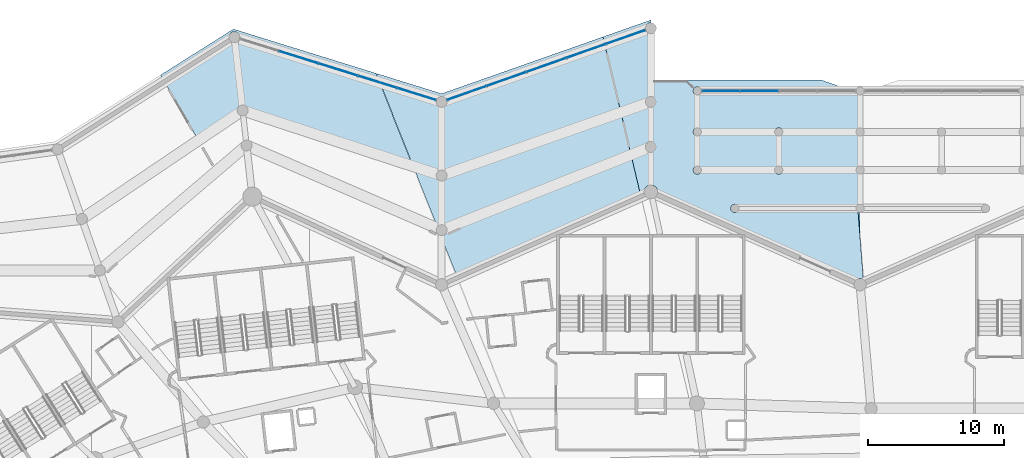
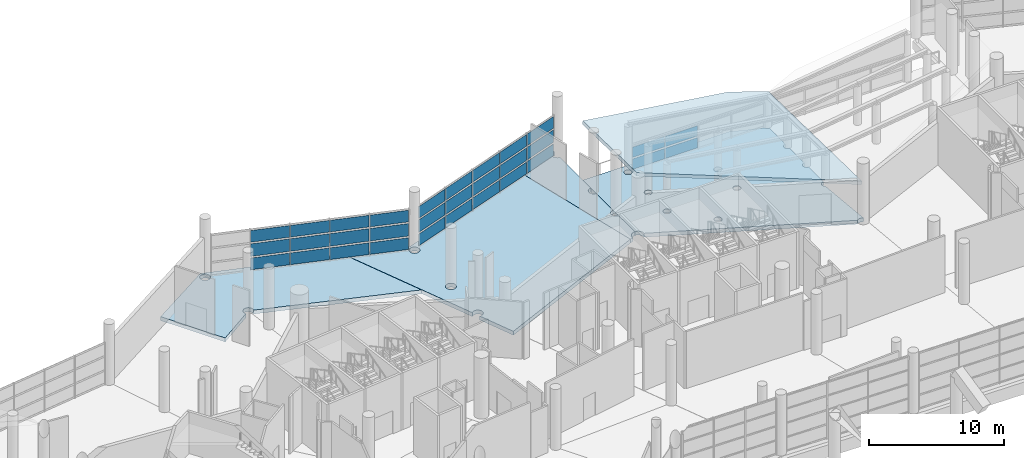
# One storey, part 146 of 271: 31 plates, 5 slabs, 3 elements without a shape of their own.
"""IFC4 building model written with IfcOpenShell, lengths in metres."""

from ifc_helpers import new_model, si_unit, direction, frame, origin, origin_2d, place, context, subcontext, project, spatial, polyline, rectangle, outline, extrude, material, layer, layer_set, type_object, element, aggregate, save


model = new_model("IFC4")

# Units and contexts
model_context = context("Model", 3, precision=1e-05, world=origin(), true_north=direction((0.0, 1.0)))
body_context = subcontext(model_context, "Body", "Model", "MODEL_VIEW")
ifc_project = project(units=[si_unit("LENGTHUNIT", "METRE"), si_unit("AREAUNIT", "SQUARE_METRE"), si_unit("VOLUMEUNIT", "CUBIC_METRE"), si_unit("PLANEANGLEUNIT", "RADIAN"), si_unit("MASSUNIT", "GRAM", prefix="KILO")], contexts=[model_context])

# Site, building, storey
site_placement = place(None, origin())
site = spatial("IfcSite", under=ifc_project, at=site_placement, CompositionType="ELEMENT")
building_placement = place(site_placement, origin())
building = spatial("IfcBuilding", under=site, at=building_placement, Name="Meseta Stadium", CompositionType="ELEMENT")
storey_placement = place(building_placement, frame((0.0, 0.0, 6.5)))
storey = spatial("IfcBuildingStorey", under=building, at=storey_placement, Name="L01", CompositionType="ELEMENT", Elevation=6.5)

# Slabs
ifc_material_1 = material(Name="Concrete C40/50", Category="concrete")
ifc_layer_1 = layer(ifc_material_1, 0.35009765625)
ifc_layer_set_1 = layer_set([ifc_layer_1], Name="Floor slab 350")
slab_type_1 = type_object("IfcSlabType", Name="Floor slab 350", PredefinedType="FLOOR", material=ifc_layer_set_1)
slab_1_placement = place(storey_placement, frame((0.0, 0.0, -0.35009765625)))
element("IfcSlab", 1, at=slab_1_placement, inside=storey, type_object=slab_type_1, Name="Gate hall floor slab 3 panel 01", PredefinedType="FLOOR", context=body_context, shape_type="SweptSolid", body=[
    extrude(outline(polyline([(-7.949951171875, 112.69970703125), (-10.506103515625, 113.60009765625), (-23.0, 113.60009765625), (-23.0, 105.904296875), (-22.869384765625, 105.88720703125), (-22.747802734375, 105.836669921875), (-22.643310546875, 105.756591796875), (-22.563232421875, 105.652099609375), (-22.512939453125, 105.530517578125), (-22.49560546875, 105.39990234375), (-22.4990234375, 105.374755859375), (-7.972412109375, 98.9326171875), (-7.8935546875, 98.9931640625), (-7.7841796875, 99.038330078125), (-7.666748046875, 99.053955078125), (-7.54931640625, 99.038330078125), (-7.439697265625, 98.9931640625), (-7.42724609375, 98.9833984375), (-7.820556640625, 103.93994140625), (-7.880615234375, 103.986083984375), (-7.9287109375, 104.048583984375), (-7.958984375, 104.12158203125), (-7.96923828125, 104.199951171875), (-7.958984375, 104.2783203125), (-7.9287109375, 104.351318359375), (-7.880615234375, 104.4140625), (-7.818115234375, 104.4619140625), (-7.7451171875, 104.4921875), (-7.666748046875, 104.502685546875), (-7.666748046875, 106.697509765625), (-7.7451171875, 106.707763671875), (-7.818115234375, 106.738037109375), (-7.880615234375, 106.785888671875), (-7.9287109375, 106.8486328125), (-7.958984375, 106.921630859375), (-7.96923828125, 107.0), (-7.958984375, 107.078369140625), (-7.9287109375, 107.1513671875), (-7.880615234375, 107.214111328125), (-7.818115234375, 107.261962890625), (-7.7451171875, 107.292236328125), (-7.666748046875, 107.302490234375), (-7.666748046875, 109.497314453125), (-7.7451171875, 109.5078125), (-7.818115234375, 109.5380859375), (-7.880615234375, 109.5859375), (-7.9287109375, 109.648681640625), (-7.958984375, 109.7216796875), (-7.96923828125, 109.800048828125), (-7.958984375, 109.87841796875), (-7.9287109375, 109.951416015625), (-7.880615234375, 110.013916015625), (-7.818115234375, 110.06201171875), (-7.7451171875, 110.09228515625), (-7.666748046875, 110.1025390625), (-7.666748046875, 112.497314453125), (-7.7451171875, 112.5078125), (-7.818115234375, 112.5380859375), (-7.880615234375, 112.5859375), (-7.9287109375, 112.648681640625), (-7.949951171875, 112.69970703125)]), holes=[polyline([(-19.44873046875, 110.06201171875), (-19.385986328125, 110.013916015625), (-19.337890625, 109.951416015625), (-19.3076171875, 109.87841796875), (-19.29736328125, 109.800048828125), (-19.3076171875, 109.7216796875), (-19.337890625, 109.648681640625), (-19.385986328125, 109.5859375), (-19.44873046875, 109.5380859375), (-19.521728515625, 109.5078125), (-19.60009765625, 109.497314453125), (-19.67822265625, 109.5078125), (-19.751220703125, 109.5380859375), (-19.81396484375, 109.5859375), (-19.862060546875, 109.648681640625), (-19.892333984375, 109.7216796875), (-19.902587890625, 109.800048828125), (-19.892333984375, 109.87841796875), (-19.862060546875, 109.951416015625), (-19.81396484375, 110.013916015625), (-19.751220703125, 110.06201171875), (-19.67822265625, 110.09228515625), (-19.60009765625, 110.1025390625), (-19.521728515625, 110.09228515625), (-19.44873046875, 110.06201171875)]), polyline([(-19.44873046875, 113.06201171875), (-19.385986328125, 113.013916015625), (-19.337890625, 112.951416015625), (-19.3076171875, 112.87841796875), (-19.29736328125, 112.800048828125), (-19.3076171875, 112.7216796875), (-19.337890625, 112.648681640625), (-19.385986328125, 112.5859375), (-19.44873046875, 112.5380859375), (-19.521728515625, 112.5078125), (-19.60009765625, 112.497314453125), (-19.67822265625, 112.5078125), (-19.751220703125, 112.5380859375), (-19.81396484375, 112.5859375), (-19.862060546875, 112.648681640625), (-19.892333984375, 112.7216796875), (-19.902587890625, 112.800048828125), (-19.892333984375, 112.87841796875), (-19.862060546875, 112.951416015625), (-19.81396484375, 113.013916015625), (-19.751220703125, 113.06201171875), (-19.67822265625, 113.09228515625), (-19.60009765625, 113.1025390625), (-19.521728515625, 113.09228515625), (-19.44873046875, 113.06201171875)]), polyline([(-13.8955078125, 107.1513671875), (-13.847412109375, 107.214111328125), (-13.78466796875, 107.261962890625), (-13.711669921875, 107.292236328125), (-13.63330078125, 107.302490234375), (-13.554931640625, 107.292236328125), (-13.48193359375, 107.261962890625), (-13.41943359375, 107.214111328125), (-13.371337890625, 107.1513671875), (-13.341064453125, 107.078369140625), (-13.330810546875, 107.0), (-13.341064453125, 106.921630859375), (-13.371337890625, 106.8486328125), (-13.41943359375, 106.785888671875), (-13.48193359375, 106.738037109375), (-13.554931640625, 106.707763671875), (-13.63330078125, 106.697509765625), (-13.711669921875, 106.707763671875), (-13.78466796875, 106.738037109375), (-13.847412109375, 106.785888671875), (-13.8955078125, 106.8486328125), (-13.925537109375, 106.921630859375), (-13.935791015625, 107.0), (-13.925537109375, 107.078369140625), (-13.8955078125, 107.1513671875)]), polyline([(-19.862060546875, 107.1513671875), (-19.81396484375, 107.214111328125), (-19.751220703125, 107.261962890625), (-19.67822265625, 107.292236328125), (-19.60009765625, 107.302490234375), (-19.521728515625, 107.292236328125), (-19.44873046875, 107.261962890625), (-19.385986328125, 107.214111328125), (-19.337890625, 107.1513671875), (-19.3076171875, 107.078369140625), (-19.29736328125, 107.0), (-19.3076171875, 106.921630859375), (-19.337890625, 106.8486328125), (-19.385986328125, 106.785888671875), (-19.44873046875, 106.738037109375), (-19.521728515625, 106.707763671875), (-19.60009765625, 106.697509765625), (-19.67822265625, 106.707763671875), (-19.751220703125, 106.738037109375), (-19.81396484375, 106.785888671875), (-19.862060546875, 106.8486328125), (-19.892333984375, 106.921630859375), (-19.902587890625, 107.0), (-19.892333984375, 107.078369140625), (-19.862060546875, 107.1513671875)]), polyline([(-13.935791015625, 109.800048828125), (-13.925537109375, 109.87841796875), (-13.8955078125, 109.951416015625), (-13.847412109375, 110.013916015625), (-13.78466796875, 110.06201171875), (-13.711669921875, 110.09228515625), (-13.63330078125, 110.1025390625), (-13.554931640625, 110.09228515625), (-13.48193359375, 110.06201171875), (-13.41943359375, 110.013916015625), (-13.371337890625, 109.951416015625), (-13.341064453125, 109.87841796875), (-13.330810546875, 109.800048828125), (-13.341064453125, 109.7216796875), (-13.371337890625, 109.648681640625), (-13.41943359375, 109.5859375), (-13.48193359375, 109.5380859375), (-13.554931640625, 109.5078125), (-13.63330078125, 109.497314453125), (-13.711669921875, 109.5078125), (-13.78466796875, 109.5380859375), (-13.847412109375, 109.5859375), (-13.8955078125, 109.648681640625), (-13.925537109375, 109.7216796875), (-13.935791015625, 109.800048828125)]), polyline([(-17.152587890625, 104.199951171875), (-17.142333984375, 104.2783203125), (-17.1123046875, 104.351318359375), (-17.064208984375, 104.4140625), (-17.00146484375, 104.4619140625), (-16.928466796875, 104.4921875), (-16.85009765625, 104.502685546875), (-16.771728515625, 104.4921875), (-16.69873046875, 104.4619140625), (-16.63623046875, 104.4140625), (-16.588134765625, 104.351318359375), (-16.557861328125, 104.2783203125), (-16.547607421875, 104.199951171875), (-16.557861328125, 104.12158203125), (-16.588134765625, 104.048583984375), (-16.63623046875, 103.986083984375), (-16.69873046875, 103.93798828125), (-16.771728515625, 103.90771484375), (-16.85009765625, 103.8974609375), (-16.928466796875, 103.90771484375), (-17.00146484375, 103.93798828125), (-17.064208984375, 103.986083984375), (-17.1123046875, 104.048583984375), (-17.142333984375, 104.12158203125), (-17.152587890625, 104.199951171875)])]), origin(), (0.0, 0.0, 1.0), 0.35009765625),
])
slab_2_placement = place(storey_placement, frame((0.0, 0.0, -0.35009765625)))
element("IfcSlab", 2, at=slab_2_placement, inside=storey, type_object=slab_type_1, Name="Ring floor slab L01 3 part 1 panel 04", PredefinedType="FLOOR", context=body_context, shape_type="SweptSolid", body=[
    extrude(outline(polyline([(-53.318603515625, 111.372314453125), (-53.3046875, 111.476806640625), (-53.264404296875, 111.57421875), (-53.2001953125, 111.65771484375), (-53.11669921875, 111.7216796875), (-53.019287109375, 111.76220703125), (-52.9150390625, 111.77587890625), (-52.810546875, 111.76220703125), (-52.71337890625, 111.7216796875), (-52.629638671875, 111.65771484375), (-52.565673828125, 111.57421875), (-52.525390625, 111.476806640625), (-52.51171875, 111.372314453125), (-52.525390625, 111.267822265625), (-52.53369140625, 111.24755859375), (-40.443603515625, 107.29052734375), (-43.142822265625, 114.093017578125), (-53.5869140625, 117.334716796875), (-58.92919921875, 113.96826171875), (-56.162109375, 109.18115234375), (-53.247314453125, 111.148193359375), (-53.264404296875, 111.170654296875), (-53.3046875, 111.267822265625), (-53.318603515625, 111.372314453125)]), holes=[polyline([(-53.1162109375, 116.73828125), (-53.1298828125, 116.634033203125), (-53.170166015625, 116.53662109375), (-53.234375, 116.453125), (-53.31787109375, 116.388916015625), (-53.415283203125, 116.3486328125), (-53.51953125, 116.3349609375), (-53.6240234375, 116.3486328125), (-53.72119140625, 116.388916015625), (-53.804931640625, 116.453125), (-53.868896484375, 116.53662109375), (-53.9091796875, 116.634033203125), (-53.923095703125, 116.73828125), (-53.9091796875, 116.8427734375), (-53.868896484375, 116.940185546875), (-53.804931640625, 117.023681640625), (-53.72119140625, 117.087890625), (-53.6240234375, 117.128173828125), (-53.51953125, 117.141845703125), (-53.415283203125, 117.128173828125), (-53.31787109375, 117.087890625), (-53.234375, 117.023681640625), (-53.170166015625, 116.940185546875), (-53.1298828125, 116.8427734375), (-53.1162109375, 116.73828125)])]), origin(), (0.0, 0.0, 1.0), 0.35009765625),
])
slab_3_placement = place(storey_placement, frame((0.0, 0.0, -0.35009765625)))
element("IfcSlab", 3, at=slab_3_placement, inside=storey, type_object=slab_type_1, Name="Ring floor slab L01 3 part 2 panel 01", PredefinedType="FLOOR", context=body_context, shape_type="SweptSolid", body=[
    extrude(outline(polyline([(-38.333251953125, 102.196533203125), (-38.404296875, 102.205810546875), (-37.232421875, 99.25244140625), (-23.767578125, 105.2236328125), (-26.514892578125, 116.76220703125), (-38.333251953125, 112.60009765625), (-43.118408203125, 114.085205078125), (-38.655029296875, 102.837890625), (-38.61865234375, 102.88525390625), (-38.53515625, 102.949462890625), (-38.437744140625, 102.98974609375), (-38.333251953125, 103.00341796875), (-38.22900390625, 102.98974609375), (-38.131591796875, 102.949462890625), (-38.048095703125, 102.88525390625), (-37.98388671875, 102.8017578125), (-37.943603515625, 102.704345703125), (-37.929931640625, 102.60009765625), (-37.943603515625, 102.49560546875), (-37.98388671875, 102.398193359375), (-38.048095703125, 102.314697265625), (-38.131591796875, 102.25048828125), (-38.22900390625, 102.210205078125), (-38.333251953125, 102.196533203125)]), holes=[polyline([(-38.722900390625, 106.49560546875), (-38.73681640625, 106.60009765625), (-38.722900390625, 106.704345703125), (-38.6826171875, 106.8017578125), (-38.61865234375, 106.88525390625), (-38.53515625, 106.949462890625), (-38.437744140625, 106.98974609375), (-38.333251953125, 107.00341796875), (-38.22900390625, 106.98974609375), (-38.131591796875, 106.949462890625), (-38.048095703125, 106.88525390625), (-37.98388671875, 106.8017578125), (-37.943603515625, 106.704345703125), (-37.929931640625, 106.60009765625), (-37.943603515625, 106.49560546875), (-37.98388671875, 106.398193359375), (-38.048095703125, 106.314697265625), (-38.131591796875, 106.25048828125), (-38.22900390625, 106.210205078125), (-38.333251953125, 106.196533203125), (-38.437744140625, 106.210205078125), (-38.53515625, 106.25048828125), (-38.61865234375, 106.314697265625), (-38.6826171875, 106.398193359375), (-38.722900390625, 106.49560546875)]), polyline([(-38.048095703125, 111.714599609375), (-38.131591796875, 111.650634765625), (-38.22900390625, 111.6103515625), (-38.333251953125, 111.596435546875), (-38.437744140625, 111.6103515625), (-38.53515625, 111.650634765625), (-38.61865234375, 111.714599609375), (-38.6826171875, 111.79833984375), (-38.722900390625, 111.8955078125), (-38.73681640625, 112.0), (-38.722900390625, 112.1044921875), (-38.6826171875, 112.20166015625), (-38.61865234375, 112.285400390625), (-38.53515625, 112.349365234375), (-38.437744140625, 112.3896484375), (-38.333251953125, 112.403564453125), (-38.22900390625, 112.3896484375), (-38.131591796875, 112.349365234375), (-38.048095703125, 112.285400390625), (-37.98388671875, 112.20166015625), (-37.943603515625, 112.1044921875), (-37.929931640625, 112.0), (-37.943603515625, 111.8955078125), (-37.98388671875, 111.79833984375), (-38.048095703125, 111.714599609375)])]), origin(), (0.0, 0.0, 1.0), 0.35009765625),
])
slab_4_placement = place(storey_placement, frame((0.0, 0.0, -0.35009765625)))
element("IfcSlab", 4, at=slab_4_placement, inside=storey, type_object=slab_type_1, Name="Ring floor slab L01 3 part 2 panel 02", PredefinedType="FLOOR", context=body_context, shape_type="SweptSolid", body=[
    extrude(outline(polyline([(-23.403564453125, 117.39990234375), (-23.3896484375, 117.50439453125), (-23.349365234375, 117.601806640625), (-23.285400390625, 117.685302734375), (-23.20166015625, 117.74951171875), (-23.1044921875, 117.789794921875), (-23.0, 117.803466796875), (-23.0, 118.0), (-26.514892578125, 116.76220703125), (-23.767578125, 105.2236328125), (-23.496826171875, 105.34375), (-23.50439453125, 105.39990234375), (-23.487060546875, 105.530517578125), (-23.436767578125, 105.652099609375), (-23.356689453125, 105.756591796875), (-23.252197265625, 105.836669921875), (-23.130615234375, 105.88720703125), (-23.0, 105.904296875), (-23.0, 108.29638671875), (-23.1044921875, 108.310302734375), (-23.20166015625, 108.3505859375), (-23.285400390625, 108.414794921875), (-23.349365234375, 108.498291015625), (-23.37158203125, 108.552001953125), (-23.3896484375, 108.595703125), (-23.403564453125, 108.699951171875), (-23.3896484375, 108.804443359375), (-23.349365234375, 108.901611328125), (-23.285400390625, 108.9853515625), (-23.20166015625, 109.04931640625), (-23.1044921875, 109.089599609375), (-23.0, 109.103515625), (-23.0, 111.596435546875), (-23.1044921875, 111.6103515625), (-23.20166015625, 111.650634765625), (-23.285400390625, 111.714599609375), (-23.349365234375, 111.79833984375), (-23.3896484375, 111.8955078125), (-23.403564453125, 112.0), (-23.3896484375, 112.1044921875), (-23.349365234375, 112.20166015625), (-23.285400390625, 112.285400390625), (-23.20166015625, 112.349365234375), (-23.1044921875, 112.3896484375), (-23.0, 112.403564453125), (-23.0, 116.99658203125), (-23.1044921875, 117.01025390625), (-23.20166015625, 117.050537109375), (-23.285400390625, 117.11474609375), (-23.349365234375, 117.1982421875), (-23.3896484375, 117.295654296875), (-23.403564453125, 117.39990234375)])), origin(), (0.0, 0.0, 1.0), 0.35009765625),
])
ifc_material_2 = material(Name="Concrete C40/50", Category="concrete")
ifc_layer_2 = layer(ifc_material_2, 0.300048828125)
ifc_layer_set_2 = layer_set([ifc_layer_2], Name="Gate roof plate 300")
slab_type_2 = type_object("IfcSlabType", Name="Gate roof plate 300", PredefinedType="ROOF", material=ifc_layer_set_2)
slab_5_placement = place(storey_placement, frame((-23.0, 113.60009765625, 5.367919921875), z_axis=(0.138626291387, 0.019802302062, 0.990146766984), x_axis=(-1.678586e-06, -0.999800068064, 0.019995596922)))
element("IfcSlab", 5, at=slab_5_placement, inside=storey, type_object=slab_type_2, Name="Gate 3 butterfly roof wing", PredefinedType="ROOF", context=body_context, shape_type="SweptSolid", body=[
    extrude(outline(polyline([(0.0, 0.0), (8.004776157907482, 0.0), (14.763233710626649, 15.482752183496082), (0.9572495142582244, 15.482738127618877), (-0.03499373974458992, 12.615677062618307), (0.0, 0.0)])), origin(), (0.0, 0.0, -1.0), 0.300048828125),
])

# Curtain wall, plates
ifc_material_3 = material(Name="Aluminium", Category="aluminium")
ifc_layer_3 = layer(ifc_material_3, 0.199951171875)
ifc_layer_set_3 = layer_set([ifc_layer_3], Name="Ring shopfront curtain wall")
curtain_wall_type_1 = type_object("IfcCurtainWallType", Name="Ring shopfront curtain wall", PredefinedType="NOTDEFINED", material=ifc_layer_set_3)
curtain_wall_1_placement = place(storey_placement, origin())
curtain_wall_1 = element("IfcCurtainWall", 6, at=curtain_wall_1_placement, inside=storey, type_object=curtain_wall_type_1, Name="Ring glazing L01 F20", PredefinedType="NOTDEFINED")
ifc_material_4 = material(Name="Glass", Category="glass")
ifc_layer_4 = layer(ifc_material_4, 0.035888671875)
ifc_layer_set_4 = layer_set([ifc_layer_4], Name="Ring CW glass panel 36")
plate_type = type_object("IfcPlateType", Name="Ring CW glass panel 36", PredefinedType="CURTAIN_PANEL", material=ifc_layer_set_4)
plate_1_placement = place(storey_placement, frame((-24.849365234375, 116.748779296875, 0.14990234375), z_axis=(0.0, 0.0, 1.0), x_axis=(-0.943218009999, -0.332174330154, 0.0)))
plate_1 = element("IfcPlate", 7, at=plate_1_placement, type_object=plate_type, Name="CWR1 panel 1.1", PredefinedType="CURTAIN_PANEL", context=body_context, shape_type="SweptSolid", body=[
    extrude(rectangle(XDim=3.001220703125, YDim=0.035888671875, at=origin_2d()), origin(), (0.0, 0.0, 1.0), 1.058349609375),
])
plate_2_placement = place(storey_placement, frame((-24.849365234375, 116.748779296875, 1.3583984375), z_axis=(0.0, 0.0, 1.0), x_axis=(-0.943218009999, -0.332174330154, 0.0)))
plate_2 = element("IfcPlate", 8, at=plate_2_placement, type_object=plate_type, Name="CWR1 panel 1.2", PredefinedType="CURTAIN_PANEL", context=body_context, shape_type="SweptSolid", body=[
    extrude(rectangle(XDim=3.001220703125, YDim=0.035888671875, at=origin_2d()), origin(), (0.0, 0.0, 1.0), 1.13330078125),
])
plate_3_placement = place(storey_placement, frame((-24.849365234375, 116.748779296875, 2.6416015625), z_axis=(0.0, 0.0, 1.0), x_axis=(-0.943218009999, -0.332174330154, 0.0)))
plate_3 = element("IfcPlate", 9, at=plate_3_placement, type_object=plate_type, Name="CWR1 panel 1.3", PredefinedType="CURTAIN_PANEL", context=body_context, shape_type="SweptSolid", body=[
    extrude(rectangle(XDim=3.001220703125, YDim=0.035888671875, at=origin_2d()), origin(), (0.0, 0.0, 1.0), 1.058349609375),
])
plate_4_placement = place(storey_placement, frame((-27.7509765625, 115.726806640625, 0.14990234375), z_axis=(0.0, 0.0, 1.0), x_axis=(-0.943218009999, -0.332174330154, 0.0)))
plate_4 = element("IfcPlate", 10, at=plate_4_placement, type_object=plate_type, Name="CWR1 panel 2.1", PredefinedType="CURTAIN_PANEL", context=body_context, shape_type="SweptSolid", body=[
    extrude(rectangle(XDim=3.03125, YDim=0.035888671875, at=origin_2d()), origin(), (0.0, 0.0, 1.0), 1.058349609375),
])
plate_5_placement = place(storey_placement, frame((-27.7509765625, 115.726806640625, 1.3583984375), z_axis=(0.0, 0.0, 1.0), x_axis=(-0.943218009999, -0.332174330154, 0.0)))
plate_5 = element("IfcPlate", 11, at=plate_5_placement, type_object=plate_type, Name="CWR1 panel 2.2", PredefinedType="CURTAIN_PANEL", context=body_context, shape_type="SweptSolid", body=[
    extrude(rectangle(XDim=3.03125, YDim=0.035888671875, at=origin_2d()), origin(), (0.0, 0.0, 1.0), 1.13330078125),
])
plate_6_placement = place(storey_placement, frame((-27.7509765625, 115.726806640625, 2.6416015625), z_axis=(0.0, 0.0, 1.0), x_axis=(-0.943218009999, -0.332174330154, 0.0)))
plate_6 = element("IfcPlate", 12, at=plate_6_placement, type_object=plate_type, Name="CWR1 panel 2.3", PredefinedType="CURTAIN_PANEL", context=body_context, shape_type="SweptSolid", body=[
    extrude(rectangle(XDim=3.03125, YDim=0.035888671875, at=origin_2d()), origin(), (0.0, 0.0, 1.0), 1.058349609375),
])
plate_7_placement = place(storey_placement, frame((-30.666748046875, 114.699951171875, 0.14990234375), z_axis=(0.0, 0.0, 1.0), x_axis=(-0.943218009999, -0.332174330154, 0.0)))
plate_7 = element("IfcPlate", 13, at=plate_7_placement, type_object=plate_type, Name="CWR1 panel 3.1", PredefinedType="CURTAIN_PANEL", context=body_context, shape_type="SweptSolid", body=[
    extrude(rectangle(XDim=3.03125, YDim=0.035888671875, at=origin_2d()), origin(), (0.0, 0.0, 1.0), 1.058349609375),
])
plate_8_placement = place(storey_placement, frame((-30.666748046875, 114.699951171875, 1.3583984375), z_axis=(0.0, 0.0, 1.0), x_axis=(-0.943218009999, -0.332174330154, 0.0)))
plate_8 = element("IfcPlate", 14, at=plate_8_placement, type_object=plate_type, Name="CWR1 panel 3.2", PredefinedType="CURTAIN_PANEL", context=body_context, shape_type="SweptSolid", body=[
    extrude(rectangle(XDim=3.03125, YDim=0.035888671875, at=origin_2d()), origin(), (0.0, 0.0, 1.0), 1.13330078125),
])
plate_9_placement = place(storey_placement, frame((-30.666748046875, 114.699951171875, 2.6416015625), z_axis=(0.0, 0.0, 1.0), x_axis=(-0.943218009999, -0.332174330154, 0.0)))
plate_9 = element("IfcPlate", 15, at=plate_9_placement, type_object=plate_type, Name="CWR1 panel 3.3", PredefinedType="CURTAIN_PANEL", context=body_context, shape_type="SweptSolid", body=[
    extrude(rectangle(XDim=3.03125, YDim=0.035888671875, at=origin_2d()), origin(), (0.0, 0.0, 1.0), 1.058349609375),
])
plate_10_placement = place(storey_placement, frame((-33.582275390625, 113.673095703125, 0.14990234375), z_axis=(0.0, 0.0, 1.0), x_axis=(-0.943218009999, -0.332174330154, 0.0)))
plate_10 = element("IfcPlate", 16, at=plate_10_placement, type_object=plate_type, Name="CWR1 panel 4.1", PredefinedType="CURTAIN_PANEL", context=body_context, shape_type="SweptSolid", body=[
    extrude(rectangle(XDim=3.03125, YDim=0.035888671875, at=origin_2d()), origin(), (0.0, 0.0, 1.0), 1.058349609375),
])
plate_11_placement = place(storey_placement, frame((-33.582275390625, 113.673095703125, 1.3583984375), z_axis=(0.0, 0.0, 1.0), x_axis=(-0.943218009999, -0.332174330154, 0.0)))
plate_11 = element("IfcPlate", 17, at=plate_11_placement, type_object=plate_type, Name="CWR1 panel 4.2", PredefinedType="CURTAIN_PANEL", context=body_context, shape_type="SweptSolid", body=[
    extrude(rectangle(XDim=3.03125, YDim=0.035888671875, at=origin_2d()), origin(), (0.0, 0.0, 1.0), 1.13330078125),
])
plate_12_placement = place(storey_placement, frame((-33.582275390625, 113.673095703125, 2.6416015625), z_axis=(0.0, 0.0, 1.0), x_axis=(-0.943218009999, -0.332174330154, 0.0)))
plate_12 = element("IfcPlate", 18, at=plate_12_placement, type_object=plate_type, Name="CWR1 panel 4.3", PredefinedType="CURTAIN_PANEL", context=body_context, shape_type="SweptSolid", body=[
    extrude(rectangle(XDim=3.03125, YDim=0.035888671875, at=origin_2d()), origin(), (0.0, 0.0, 1.0), 1.058349609375),
])
plate_13_placement = place(storey_placement, frame((-36.48388671875, 112.6513671875, 0.14990234375), z_axis=(0.0, 0.0, 1.0), x_axis=(-0.943218009999, -0.332174330154, 0.0)))
plate_13 = element("IfcPlate", 19, at=plate_13_placement, type_object=plate_type, Name="CWR1 panel 5.1", PredefinedType="CURTAIN_PANEL", context=body_context, shape_type="SweptSolid", body=[
    extrude(rectangle(XDim=3.001220703125, YDim=0.035888671875, at=origin_2d()), origin(), (0.0, 0.0, 1.0), 1.058349609375),
])
plate_14_placement = place(storey_placement, frame((-36.48388671875, 112.6513671875, 1.3583984375), z_axis=(0.0, 0.0, 1.0), x_axis=(-0.943218009999, -0.332174330154, 0.0)))
plate_14 = element("IfcPlate", 20, at=plate_14_placement, type_object=plate_type, Name="CWR1 panel 5.2", PredefinedType="CURTAIN_PANEL", context=body_context, shape_type="SweptSolid", body=[
    extrude(rectangle(XDim=3.001220703125, YDim=0.035888671875, at=origin_2d()), origin(), (0.0, 0.0, 1.0), 1.13330078125),
])
plate_15_placement = place(storey_placement, frame((-36.48388671875, 112.6513671875, 2.6416015625), z_axis=(0.0, 0.0, 1.0), x_axis=(-0.943218009999, -0.332174330154, 0.0)))
plate_15 = element("IfcPlate", 21, at=plate_15_placement, type_object=plate_type, Name="CWR1 panel 5.3", PredefinedType="CURTAIN_PANEL", context=body_context, shape_type="SweptSolid", body=[
    extrude(rectangle(XDim=3.001220703125, YDim=0.035888671875, at=origin_2d()), origin(), (0.0, 0.0, 1.0), 1.058349609375),
])
aggregate(curtain_wall_1, [plate_1, plate_2, plate_3, plate_4, plate_5, plate_6, plate_7, plate_8, plate_9, plate_10, plate_11, plate_12, plate_13, plate_14, plate_15])

curtain_wall_2_placement = place(storey_placement, origin())
curtain_wall_2 = element("IfcCurtainWall", 22, at=curtain_wall_2_placement, inside=storey, type_object=curtain_wall_type_1, Name="Ring glazing L01 F21", PredefinedType="NOTDEFINED")
plate_16_placement = place(storey_placement, frame((-40.171875, 112.573486328125, 0.14990234375), z_axis=(0.0, 0.0, 1.0), x_axis=(-0.95460920309, 0.297861157885, 0.0)))
plate_16 = element("IfcPlate", 23, at=plate_16_placement, type_object=plate_type, Name="CWR1 panel 1.1", PredefinedType="CURTAIN_PANEL", context=body_context, shape_type="SweptSolid", body=[
    extrude(rectangle(XDim=2.931640625, YDim=0.035888671875, at=origin_2d()), origin(), (0.0, 0.0, 1.0), 1.058349609375),
])
plate_17_placement = place(storey_placement, frame((-40.171875, 112.573486328125, 1.3583984375), z_axis=(0.0, 0.0, 1.0), x_axis=(-0.95460920309, 0.297861157885, 0.0)))
plate_17 = element("IfcPlate", 24, at=plate_17_placement, type_object=plate_type, Name="CWR1 panel 1.2", PredefinedType="CURTAIN_PANEL", context=body_context, shape_type="SweptSolid", body=[
    extrude(rectangle(XDim=2.931640625, YDim=0.035888671875, at=origin_2d()), origin(), (0.0, 0.0, 1.0), 1.13330078125),
])
plate_18_placement = place(storey_placement, frame((-40.171875, 112.573486328125, 2.6416015625), z_axis=(0.0, 0.0, 1.0), x_axis=(-0.95460920309, 0.297861157885, 0.0)))
plate_18 = element("IfcPlate", 25, at=plate_18_placement, type_object=plate_type, Name="CWR1 panel 1.3", PredefinedType="CURTAIN_PANEL", context=body_context, shape_type="SweptSolid", body=[
    extrude(rectangle(XDim=2.931640625, YDim=0.035888671875, at=origin_2d()), origin(), (0.0, 0.0, 1.0), 1.058349609375),
])
plate_19_placement = place(storey_placement, frame((-43.0419921875, 113.46923828125, 0.14990234375), z_axis=(0.0, 0.0, 1.0), x_axis=(-0.95460920309, 0.297861157885, 0.0)))
plate_19 = element("IfcPlate", 26, at=plate_19_placement, type_object=plate_type, Name="CWR1 panel 2.1", PredefinedType="CURTAIN_PANEL", context=body_context, shape_type="SweptSolid", body=[
    extrude(rectangle(XDim=2.961669921875, YDim=0.035888671875, at=origin_2d()), origin(), (0.0, 0.0, 1.0), 1.058349609375),
])
plate_20_placement = place(storey_placement, frame((-43.0419921875, 113.46923828125, 1.3583984375), z_axis=(0.0, 0.0, 1.0), x_axis=(-0.95460920309, 0.297861157885, 0.0)))
plate_20 = element("IfcPlate", 27, at=plate_20_placement, type_object=plate_type, Name="CWR1 panel 2.2", PredefinedType="CURTAIN_PANEL", context=body_context, shape_type="SweptSolid", body=[
    extrude(rectangle(XDim=2.961669921875, YDim=0.035888671875, at=origin_2d()), origin(), (0.0, 0.0, 1.0), 1.13330078125),
])
plate_21_placement = place(storey_placement, frame((-43.0419921875, 113.46923828125, 2.6416015625), z_axis=(0.0, 0.0, 1.0), x_axis=(-0.95460920309, 0.297861157885, 0.0)))
plate_21 = element("IfcPlate", 28, at=plate_21_placement, type_object=plate_type, Name="CWR1 panel 2.3", PredefinedType="CURTAIN_PANEL", context=body_context, shape_type="SweptSolid", body=[
    extrude(rectangle(XDim=2.961669921875, YDim=0.035888671875, at=origin_2d()), origin(), (0.0, 0.0, 1.0), 1.058349609375),
])
plate_22_placement = place(storey_placement, frame((-45.926513671875, 114.369140625, 0.14990234375), z_axis=(0.0, 0.0, 1.0), x_axis=(-0.95460920309, 0.297861157885, 0.0)))
plate_22 = element("IfcPlate", 29, at=plate_22_placement, type_object=plate_type, Name="CWR1 panel 3.1", PredefinedType="CURTAIN_PANEL", context=body_context, shape_type="SweptSolid", body=[
    extrude(rectangle(XDim=2.961669921875, YDim=0.035888671875, at=origin_2d()), origin(), (0.0, 0.0, 1.0), 1.058349609375),
])
plate_23_placement = place(storey_placement, frame((-45.926513671875, 114.369140625, 1.3583984375), z_axis=(0.0, 0.0, 1.0), x_axis=(-0.95460920309, 0.297861157885, 0.0)))
plate_23 = element("IfcPlate", 30, at=plate_23_placement, type_object=plate_type, Name="CWR1 panel 3.2", PredefinedType="CURTAIN_PANEL", context=body_context, shape_type="SweptSolid", body=[
    extrude(rectangle(XDim=2.961669921875, YDim=0.035888671875, at=origin_2d()), origin(), (0.0, 0.0, 1.0), 1.13330078125),
])
plate_24_placement = place(storey_placement, frame((-45.926513671875, 114.369140625, 2.6416015625), z_axis=(0.0, 0.0, 1.0), x_axis=(-0.95460920309, 0.297861157885, 0.0)))
plate_24 = element("IfcPlate", 31, at=plate_24_placement, type_object=plate_type, Name="CWR1 panel 3.3", PredefinedType="CURTAIN_PANEL", context=body_context, shape_type="SweptSolid", body=[
    extrude(rectangle(XDim=2.961669921875, YDim=0.035888671875, at=origin_2d()), origin(), (0.0, 0.0, 1.0), 1.058349609375),
])
plate_25_placement = place(storey_placement, frame((-48.81103515625, 115.269287109375, 0.14990234375), z_axis=(0.0, 0.0, 1.0), x_axis=(-0.95460920309, 0.297861157885, 0.0)))
plate_25 = element("IfcPlate", 32, at=plate_25_placement, type_object=plate_type, Name="CWR1 panel 4.1", PredefinedType="CURTAIN_PANEL", context=body_context, shape_type="SweptSolid", body=[
    extrude(rectangle(XDim=2.961669921875, YDim=0.035888671875, at=origin_2d()), origin(), (0.0, 0.0, 1.0), 1.058349609375),
])
plate_26_placement = place(storey_placement, frame((-48.81103515625, 115.269287109375, 1.3583984375), z_axis=(0.0, 0.0, 1.0), x_axis=(-0.95460920309, 0.297861157885, 0.0)))
plate_26 = element("IfcPlate", 33, at=plate_26_placement, type_object=plate_type, Name="CWR1 panel 4.2", PredefinedType="CURTAIN_PANEL", context=body_context, shape_type="SweptSolid", body=[
    extrude(rectangle(XDim=2.961669921875, YDim=0.035888671875, at=origin_2d()), origin(), (0.0, 0.0, 1.0), 1.13330078125),
])
plate_27_placement = place(storey_placement, frame((-48.81103515625, 115.269287109375, 2.6416015625), z_axis=(0.0, 0.0, 1.0), x_axis=(-0.95460920309, 0.297861157885, 0.0)))
plate_27 = element("IfcPlate", 34, at=plate_27_placement, type_object=plate_type, Name="CWR1 panel 4.3", PredefinedType="CURTAIN_PANEL", context=body_context, shape_type="SweptSolid", body=[
    extrude(rectangle(XDim=2.961669921875, YDim=0.035888671875, at=origin_2d()), origin(), (0.0, 0.0, 1.0), 1.058349609375),
])
aggregate(curtain_wall_2, [plate_16, plate_17, plate_18, plate_19, plate_20, plate_21, plate_22, plate_23, plate_24, plate_25, plate_26, plate_27])

ifc_material_5 = material(Name="Aluminium", Category="aluminium")
ifc_layer_5 = layer(ifc_material_5, 0.199951171875)
ifc_layer_set_5 = layer_set([ifc_layer_5], Name="Gate hall curtain wall")
curtain_wall_type_2 = type_object("IfcCurtainWallType", Name="Gate hall curtain wall", PredefinedType="NOTDEFINED", material=ifc_layer_set_5)
curtain_wall_3_placement = place(storey_placement, origin())
curtain_wall_3 = element("IfcCurtainWall", 35, at=curtain_wall_3_placement, inside=storey, type_object=curtain_wall_type_2, Name="Gate 3 hall glazing", PredefinedType="NOTDEFINED")
plate_28_placement = place(storey_placement, frame((-17.868408203125, 112.800048828125, 0.14990234375), z_axis=(0.0, 0.0, 1.0), x_axis=(1.0, 0.0, 0.0)))
plate_28 = element("IfcPlate", 36, at=plate_28_placement, type_object=plate_type, Name="CWG1 panel 1.1", PredefinedType="CURTAIN_PANEL", context=body_context, shape_type="SweptSolid", body=[
    extrude(rectangle(XDim=2.743408203125, YDim=0.035888671875, at=origin_2d()), origin(), (0.0, 0.0, 1.0), 0.924560546875),
])
plate_29_placement = place(storey_placement, frame((-17.868408203125, 112.800048828125, 1.224609375), z_axis=(0.0, 0.0, 1.0), x_axis=(1.0, 0.0, 0.0)))
plate_29 = element("IfcPlate", 37, at=plate_29_placement, type_object=plate_type, Name="CWG1 panel 1.2", PredefinedType="CURTAIN_PANEL", context=body_context, shape_type="SweptSolid", body=[
    extrude(rectangle(XDim=2.743408203125, YDim=0.035888671875, at=origin_2d()), origin(), (0.0, 0.0, 1.0), 0.924560546875),
])
plate_30_placement = place(storey_placement, frame((-15.050048828125, 112.800048828125, 0.14990234375), z_axis=(0.0, 0.0, 1.0), x_axis=(1.0, 0.0, 0.0)))
plate_30 = element("IfcPlate", 38, at=plate_30_placement, type_object=plate_type, Name="CWG1 panel 2.1", PredefinedType="CURTAIN_PANEL", context=body_context, shape_type="SweptSolid", body=[
    extrude(rectangle(XDim=2.7734375, YDim=0.035888671875, at=origin_2d()), origin(), (0.0, 0.0, 1.0), 0.924560546875),
])
plate_31_placement = place(storey_placement, frame((-15.050048828125, 112.800048828125, 1.224609375), z_axis=(0.0, 0.0, 1.0), x_axis=(1.0, 0.0, 0.0)))
plate_31 = element("IfcPlate", 39, at=plate_31_placement, type_object=plate_type, Name="CWG1 panel 2.2", PredefinedType="CURTAIN_PANEL", context=body_context, shape_type="SweptSolid", body=[
    extrude(rectangle(XDim=2.7734375, YDim=0.035888671875, at=origin_2d()), origin(), (0.0, 0.0, 1.0), 0.924560546875),
])
aggregate(curtain_wall_3, [plate_28, plate_29, plate_30, plate_31])

save(model, "model.ifc")
